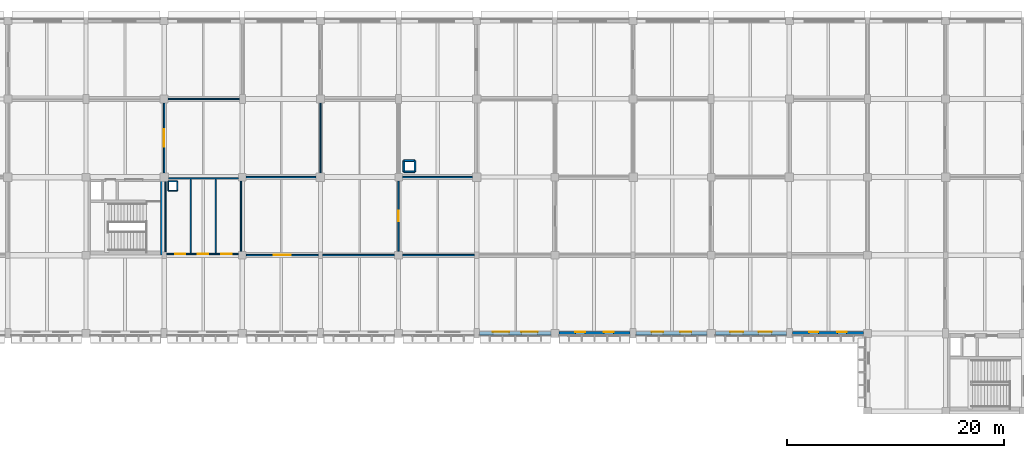
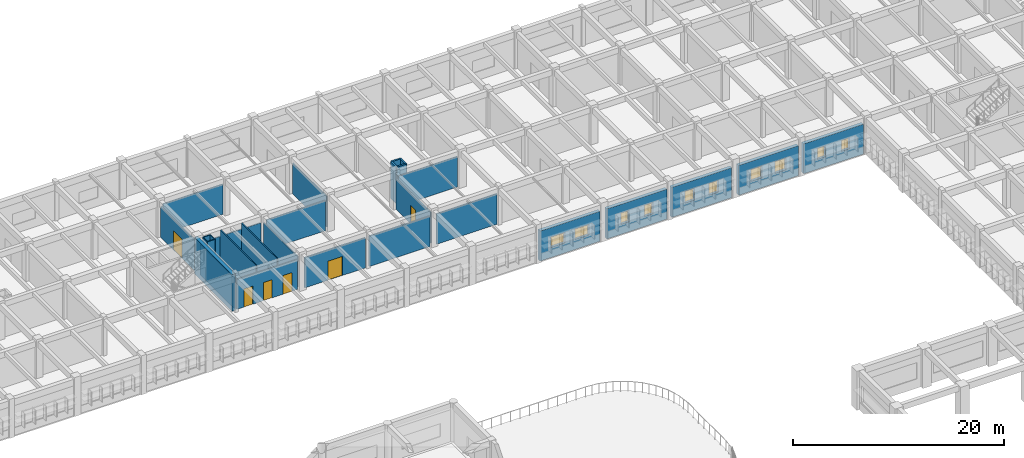
# One storey, part 47 of 61: 29 walls, 10 windows, 6 doors, 16 openings.
"""IFC4 building model written with IfcOpenShell, lengths in metres."""

import ifcopenshell
import ifcopenshell.guid

model = None  # the IFC model being written
_history = None  # IfcOwnerHistory: only IFC2X3 demands one
_inside = {}  # id of a spatial element -> (the spatial element, [elements in it])
_under = {}  # id of a project, library or spatial element -> (it, [spatial elements below it])
_declared = {}  # id of a project -> (the project, [libraries it declares])
_typed = {}  # id of a type object -> (the type object, [elements of that type])
_made_of = {}  # id of a material, layer set ... -> (it, [elements and type objects made of it])


def new_model(schema):
    """Start an empty IFC model of exactly this schema.

    Asked for "IFC4X3", IfcOpenShell would pick the latest addendum, in which some entities
    have other attributes; the version numbers below select the first issue.
    IFC2X3 requires an IfcOwnerHistory on every rooted entity: one is made here for all.
    """
    global model, _history
    if schema == "IFC4X3":
        model = ifcopenshell.file(schema_version=(4, 3, 0, 0))
    else:
        model = ifcopenshell.file(schema=schema)
    _inside.clear()
    _under.clear()
    _declared.clear()
    _typed.clear()
    _made_of.clear()
    _history = None
    if model.schema == "IFC2X3":
        org = make("IfcOrganization", Name="unknown")
        user = make(
            "IfcPersonAndOrganization",
            ThePerson=make("IfcPerson", FamilyName="unknown"),
            TheOrganization=org,
        )
        app = make(
            "IfcApplication",
            ApplicationDeveloper=org,
            Version="unknown",
            ApplicationFullName="unknown",
            ApplicationIdentifier="unknown",
        )
        _history = make(
            "IfcOwnerHistory",
            OwningUser=user,
            OwningApplication=app,
            ChangeAction="ADDED",
            CreationDate=0,
        )
    return model


def make(cls, **values):
    """One entity of the class cls with the attributes given. An attribute that is None is left unset."""
    return model.create_entity(
        cls, **{name: value for name, value in values.items() if value is not None}
    )


def rooted(cls, **values):
    """An entity with a GlobalId (a new one), such as an element, a storey or a relation."""
    return make(cls, GlobalId=ifcopenshell.guid.new(), OwnerHistory=_history, **values)


def si_unit(unit_type, name, prefix=None):
    """IfcSIUnit, for example si_unit("LENGTHUNIT", "METRE", prefix="MILLI")."""
    return make("IfcSIUnit", UnitType=unit_type, Prefix=prefix, Name=name)


def assignment(units):
    """IfcUnitAssignment: the units of a project."""
    return None if units is None else make("IfcUnitAssignment", Units=units)


def point(xyz):
    """IfcCartesianPoint."""
    return None if xyz is None else make("IfcCartesianPoint", Coordinates=xyz)


def direction(xyz):
    """IfcDirection."""
    return None if xyz is None else make("IfcDirection", DirectionRatios=xyz)


def frame(location, z_axis=None, x_axis=None):
    """IfcAxis2Placement3D, a coordinate frame: its origin and axes. An axis left out is left unset."""
    return make(
        "IfcAxis2Placement3D",
        Location=point(location),
        Axis=direction(z_axis),
        RefDirection=direction(x_axis),
    )


def frame_2d(location, x_axis=None):
    """IfcAxis2Placement2D, a coordinate frame in the plane: its origin and x axis."""
    return make(
        "IfcAxis2Placement2D", Location=point(location), RefDirection=direction(x_axis)
    )


def origin():
    """The frame at (0, 0, 0) with its axes left unset."""
    return frame((0.0, 0.0, 0.0))


def place(relative_to, where):
    """IfcLocalPlacement: puts the frame where relative to a parent placement (None: the world)."""
    return make(
        "IfcLocalPlacement", PlacementRelTo=relative_to, RelativePlacement=where
    )


def context(
    kind, dimensions, precision=None, world=None, true_north=None, identifier=None
):
    """IfcGeometricRepresentationContext, for example the 3D "Model" context."""
    return make(
        "IfcGeometricRepresentationContext",
        ContextIdentifier=identifier,
        ContextType=kind,
        CoordinateSpaceDimension=dimensions,
        Precision=precision,
        WorldCoordinateSystem=world,
        TrueNorth=true_north,
    )


def subcontext(parent, identifier, kind, view, scale=None):
    """IfcGeometricRepresentationSubContext, for example "Body" below "Model"."""
    return make(
        "IfcGeometricRepresentationSubContext",
        ContextIdentifier=identifier,
        ContextType=kind,
        ParentContext=parent,
        TargetScale=scale,
        TargetView=view,
    )


def project(units=None, contexts=None):
    """IfcProject with its units and contexts."""
    return rooted(
        "IfcProject",
        Name="project",
        RepresentationContexts=contexts,
        UnitsInContext=assignment(units),
    )


def spatial(cls, under=None, at=None, **own):
    """A site, building, storey or space (cls), placed at a placement, below another one or the project."""
    s = rooted(cls, ObjectPlacement=at, **own)
    if under is not None:
        _under.setdefault(under.id(), (under, []))[1].append(s)
    return s


def profile(cls, at=None, kind="AREA", **sizes):
    """A parametric profile (cls). Its sizes go by their IFC names, for example OverallWidth=200.0."""
    return make(cls, ProfileType=kind, Position=at, **sizes)


def rectangle(**sizes):
    """IfcRectangleProfileDef."""
    return profile("IfcRectangleProfileDef", **sizes)


def extrude(swept, where, along, depth):
    """IfcExtrudedAreaSolid: the profile swept, set in the frame where, extruded along a direction by depth."""
    return make(
        "IfcExtrudedAreaSolid",
        SweptArea=swept,
        Position=where,
        ExtrudedDirection=direction(along),
        Depth=depth,
    )


def shape(context_of_items, identifier, shape_type, items):
    """IfcShapeRepresentation: the items that make up one representation, for example the "Body"."""
    return make(
        "IfcShapeRepresentation",
        ContextOfItems=context_of_items,
        RepresentationIdentifier=identifier,
        RepresentationType=shape_type,
        Items=items,
    )


def material(Name=None, Category=None):
    """IfcMaterial."""
    return make("IfcMaterial", Name=Name, Category=Category)


def layer(
    of_material, thickness, ventilated=None, Name=None, Category=None, Priority=None
):
    """IfcMaterialLayer: one layer of a wall or slab, of a material (None: an air gap)."""
    return make(
        "IfcMaterialLayer",
        Material=of_material,
        LayerThickness=thickness,
        IsVentilated=ventilated,
        Name=Name,
        Category=Category,
        Priority=Priority,
    )


def layer_set(layers, Name=None):
    """IfcMaterialLayerSet."""
    return make("IfcMaterialLayerSet", MaterialLayers=layers, LayerSetName=Name)


def made_of(thing, what):
    """Note that an element or type object is made of a material, layer set ...; save() writes the relation."""
    if what is not None:
        _made_of.setdefault(what.id(), (what, []))[1].append(thing)
    return thing


def type_object(cls, material=None, **own):
    """A type object (cls), such as IfcWallType, which elements share."""
    return made_of(rooted(cls, **own), material)


def element(
    cls,
    number,
    at=None,
    inside=None,
    cuts=None,
    type_object=None,
    material=None,
    context=None,
    identifier="Body",
    shape_type=None,
    held_by="IfcProductDefinitionShape",
    body=None,
    shapes=None,
    **own,
):
    """One element of the class cls, such as IfcWall. Its Tag is "e" and its number.

    at: its placement. inside: the storey or other place that contains it. cuts: it is an
    opening in that element (IfcRelVoidsElement). A single representation is given by context,
    identifier, shape_type and body (its items); several are given by shapes. held_by: the class
    of the entity that holds the representations. save() writes the other relations.
    """
    e = rooted(cls, Tag="e%d" % number, ObjectPlacement=at, **own)
    if body is not None:
        shapes = [shape(context, identifier, shape_type, body)]
    if shapes is not None:
        e.Representation = make(held_by, Representations=shapes)
    if inside is not None:
        _inside.setdefault(inside.id(), (inside, []))[1].append(e)
    if cuts is not None:
        rooted(
            "IfcRelVoidsElement", RelatingBuildingElement=cuts, RelatedOpeningElement=e
        )
    if type_object is not None:
        _typed.setdefault(type_object.id(), (type_object, []))[1].append(e)
    return made_of(e, material)


def fill(opening, filler):
    """IfcRelFillsElement: the door or window that sits in an opening."""
    return rooted(
        "IfcRelFillsElement",
        RelatingOpeningElement=opening,
        RelatedBuildingElement=filler,
    )


def aggregate(whole, parts):
    """IfcRelAggregates: a whole, such as a stair, and the parts it consists of."""
    return rooted("IfcRelAggregates", RelatingObject=whole, RelatedObjects=parts)


def save(model, path):
    """Write the relations noted so far, then the file.

    IfcRelAggregates (storeys below a building ...), IfcRelContainedInSpatialStructure (elements
    in a storey), IfcRelDefinesByType, IfcRelAssociatesMaterial and IfcRelDeclares: one each for
    every whole, place, type object, material and project.
    """
    for whole, parts in _under.values():
        aggregate(whole, parts)
    for where, things in _inside.values():
        rooted(
            "IfcRelContainedInSpatialStructure",
            RelatedElements=things,
            RelatingStructure=where,
        )
    for kind, things in _typed.values():
        rooted("IfcRelDefinesByType", RelatedObjects=things, RelatingType=kind)
    for what, things in _made_of.values():
        rooted("IfcRelAssociatesMaterial", RelatedObjects=things, RelatingMaterial=what)
    for by, libraries in _declared.values():
        rooted("IfcRelDeclares", RelatingContext=by, RelatedDefinitions=libraries)
    model.write(path)


model = new_model("IFC4")

# Units and contexts
model_context = context("Model", 3, precision=1e-05, world=origin(), true_north=direction((0.0, 1.0)))
body_context = subcontext(model_context, "Body", "Model", "MODEL_VIEW")
ifc_project = project(units=[si_unit("LENGTHUNIT", "METRE"), si_unit("AREAUNIT", "SQUARE_METRE"), si_unit("VOLUMEUNIT", "CUBIC_METRE"), si_unit("PLANEANGLEUNIT", "RADIAN"), si_unit("MASSUNIT", "GRAM", prefix="KILO")], contexts=[model_context])

# Site, building, storey
site_placement = place(None, origin())
site = spatial("IfcSite", under=ifc_project, at=site_placement, CompositionType="ELEMENT")
building_placement = place(site_placement, origin())
building = spatial("IfcBuilding", under=site, at=building_placement, Name="Thalmaran Polytechnic", CompositionType="ELEMENT")
storey_placement = place(building_placement, frame((0.0, 0.0, 9.89990234375)))
storey = spatial("IfcBuildingStorey", under=building, at=storey_placement, Name="L02", CompositionType="ELEMENT", Elevation=9.89990234375)

# Wall, openings, windows
ifc_material_1 = material(Name="Precast concrete C40/50", Category="concrete")
ifc_layer_1 = layer(ifc_material_1, 0.360107421875, Name="Precast concrete C40/50")
ifc_layer_set_1 = layer_set([ifc_layer_1], Name="Precast concrete C40/50")
wall_type_1 = type_object("IfcWallType", Name="WL-EW01", PredefinedType="STANDARD", material=ifc_layer_set_1)
wall_1_placement = place(storey_placement, frame((129.22509765625, 93.60009765625, 0.0), z_axis=(0.0, 0.0, 1.0), x_axis=(-1.0, 0.0, 0.0)))
wall_1 = element("IfcWall", 1, at=wall_1_placement, inside=storey, type_object=wall_type_1, Name="Exterior Precast Facade Wall L02-164", PredefinedType="STANDARD", context=body_context, shape_type="SweptSolid", body=[
    extrude(rectangle(XDim=6.550048828125, YDim=0.360107421875, at=frame_2d((3.27490234375, 0.0))), origin(), (0.0, 0.0, 1.0), 3.460205078125),
])
opening_1_placement = place(wall_1_placement, frame((1.5400390625, 0.0, 1.14990234375)))
opening_1 = element("IfcOpeningElement", 2, at=opening_1_placement, cuts=wall_1, Name="Opening VW14", PredefinedType="OPENING", context=body_context, shape_type="SweptSolid", body=[
    extrude(rectangle(XDim=0.85009765625, YDim=1.25, at=frame_2d((0.425048828125, 0.625))), frame((0.0, 0.18994140625, 0.0), z_axis=(0.0, -1.0, 0.0), x_axis=(1.0, 0.0, 0.0)), (0.0, 0.0, 1.0), 0.380126953125),
])
opening_2_placement = place(wall_1_placement, frame((4.159912109375, 0.0, 1.14990234375)))
opening_2 = element("IfcOpeningElement", 3, at=opening_2_placement, cuts=wall_1, Name="Opening VW14", PredefinedType="OPENING", context=body_context, shape_type="SweptSolid", body=[
    extrude(rectangle(XDim=0.85009765625, YDim=1.25, at=frame_2d((0.425048828125, 0.625))), frame((0.0, 0.18994140625, 0.0), z_axis=(0.0, -1.0, 0.0), x_axis=(1.0, 0.0, 0.0)), (0.0, 0.0, 1.0), 0.380126953125),
])
ifc_material_2 = material(Name="Thermally broken aluminium and double low-E glass", Category="aluminium")
window_type_1 = type_object("IfcWindowType", Name="WN-VZ14", PartitioningType="SINGLE_PANEL", PredefinedType="WINDOW", material=ifc_material_2)
window_1_placement = place(opening_1_placement, origin())
window_1 = element("IfcWindow", 4, at=window_1_placement, inside=storey, type_object=window_type_1, Name="Deep-Set Solar-Screened Window W-0382", OverallHeight=1.25, OverallWidth=0.85009765625, PartitioningType="SINGLE_PANEL", PredefinedType="WINDOW", context=body_context, shape_type="SweptSolid", body=[
    extrude(rectangle(XDim=0.85009765625, YDim=1.25, at=frame_2d((0.425048828125, 0.625))), frame((0.0, -0.080078125, 0.0), z_axis=(0.0, -1.0, 0.0), x_axis=(1.0, 0.0, 0.0)), (0.0, 0.0, 1.0), 0.06005859375),
])
fill(opening_1, window_1)
window_2_placement = place(opening_2_placement, origin())
window_2 = element("IfcWindow", 5, at=window_2_placement, inside=storey, type_object=window_type_1, Name="Deep-Set Solar-Screened Window W-0383", OverallHeight=1.25, OverallWidth=0.85009765625, PartitioningType="SINGLE_PANEL", PredefinedType="WINDOW", context=body_context, shape_type="SweptSolid", body=[
    extrude(rectangle(XDim=0.85009765625, YDim=1.25, at=frame_2d((0.425048828125, 0.625))), frame((0.0, -0.080078125, 0.0), z_axis=(0.0, -1.0, 0.0), x_axis=(1.0, 0.0, 0.0)), (0.0, 0.0, 1.0), 0.06005859375),
])
fill(opening_2, window_2)

wall_2_placement = place(storey_placement, frame((122.125, 93.60009765625, 0.0), z_axis=(0.0, 0.0, 1.0), x_axis=(-1.0, 0.0, 0.0)))
wall_2 = element("IfcWall", 6, at=wall_2_placement, inside=storey, type_object=wall_type_1, Name="Exterior Precast Facade Wall L02-165", PredefinedType="STANDARD", context=body_context, shape_type="SweptSolid", body=[
    extrude(rectangle(XDim=6.550048828125, YDim=0.360107421875, at=frame_2d((3.27490234375, 0.0))), origin(), (0.0, 0.0, 1.0), 3.460205078125),
])
opening_3_placement = place(wall_2_placement, frame((1.364990234375, 0.0, 1.14990234375)))
opening_3 = element("IfcOpeningElement", 7, at=opening_3_placement, cuts=wall_2, Name="Opening PW11", PredefinedType="OPENING", context=body_context, shape_type="SweptSolid", body=[
    extrude(rectangle(XDim=1.199951171875, YDim=1.35009765625, at=frame_2d((0.60009765625, 0.675048828125))), frame((0.0, 0.18994140625, 0.0), z_axis=(0.0, -1.0, 0.0), x_axis=(1.0, 0.0, 0.0)), (0.0, 0.0, 1.0), 0.380126953125),
])
opening_4_placement = place(wall_2_placement, frame((3.985107421875, 0.0, 1.14990234375)))
opening_4 = element("IfcOpeningElement", 8, at=opening_4_placement, cuts=wall_2, Name="Opening PW11", PredefinedType="OPENING", context=body_context, shape_type="SweptSolid", body=[
    extrude(rectangle(XDim=1.199951171875, YDim=1.35009765625, at=frame_2d((0.60009765625, 0.675048828125))), frame((0.0, 0.18994140625, 0.0), z_axis=(0.0, -1.0, 0.0), x_axis=(1.0, 0.0, 0.0)), (0.0, 0.0, 1.0), 0.380126953125),
])
window_type_2 = type_object("IfcWindowType", Name="WN-PW01", PartitioningType="SINGLE_PANEL", PredefinedType="WINDOW", material=ifc_material_2)
window_3_placement = place(opening_3_placement, origin())
window_3 = element("IfcWindow", 9, at=window_3_placement, inside=storey, type_object=window_type_2, Name="Deep-Set Solar-Screened Window W-0384", OverallHeight=1.35009765625, OverallWidth=1.199951171875, PartitioningType="SINGLE_PANEL", PredefinedType="WINDOW", context=body_context, shape_type="SweptSolid", body=[
    extrude(rectangle(XDim=1.199951171875, YDim=1.35009765625, at=frame_2d((0.60009765625, 0.675048828125))), frame((0.0, -0.080078125, 0.0), z_axis=(0.0, -1.0, 0.0), x_axis=(1.0, 0.0, 0.0)), (0.0, 0.0, 1.0), 0.06005859375),
])
fill(opening_3, window_3)
window_4_placement = place(opening_4_placement, origin())
window_4 = element("IfcWindow", 10, at=window_4_placement, inside=storey, type_object=window_type_2, Name="Deep-Set Solar-Screened Window W-0385", OverallHeight=1.35009765625, OverallWidth=1.199951171875, PartitioningType="SINGLE_PANEL", PredefinedType="WINDOW", context=body_context, shape_type="SweptSolid", body=[
    extrude(rectangle(XDim=1.199951171875, YDim=1.35009765625, at=frame_2d((0.60009765625, 0.675048828125))), frame((0.0, -0.080078125, 0.0), z_axis=(0.0, -1.0, 0.0), x_axis=(1.0, 0.0, 0.0)), (0.0, 0.0, 1.0), 0.06005859375),
])
fill(opening_4, window_4)

wall_3_placement = place(storey_placement, frame((114.824951171875, 93.60009765625, 0.0), z_axis=(0.0, 0.0, 1.0), x_axis=(-1.0, 0.0, 0.0)))
wall_3 = element("IfcWall", 11, at=wall_3_placement, inside=storey, type_object=wall_type_1, Name="Exterior Precast Facade Wall L02-166", PredefinedType="STANDARD", context=body_context, shape_type="SweptSolid", body=[
    extrude(rectangle(XDim=6.550048828125, YDim=0.360107421875, at=frame_2d((3.27490234375, 0.0))), origin(), (0.0, 0.0, 1.0), 3.47021484375),
])
opening_5_placement = place(wall_3_placement, frame((1.43994140625, 0.0, 1.14990234375)))
opening_5 = element("IfcOpeningElement", 12, at=opening_5_placement, cuts=wall_3, Name="Opening PW12", PredefinedType="OPENING", context=body_context, shape_type="SweptSolid", body=[
    extrude(rectangle(XDim=1.050048828125, YDim=1.35009765625, at=frame_2d((0.52490234375, 0.675048828125))), frame((0.0, 0.18994140625, 0.0), z_axis=(0.0, -1.0, 0.0), x_axis=(1.0, 0.0, 0.0)), (0.0, 0.0, 1.0), 0.380126953125),
])
opening_6_placement = place(wall_3_placement, frame((4.06005859375, 0.0, 1.14990234375)))
opening_6 = element("IfcOpeningElement", 13, at=opening_6_placement, cuts=wall_3, Name="Opening PW12", PredefinedType="OPENING", context=body_context, shape_type="SweptSolid", body=[
    extrude(rectangle(XDim=1.050048828125, YDim=1.35009765625, at=frame_2d((0.52490234375, 0.675048828125))), frame((0.0, 0.18994140625, 0.0), z_axis=(0.0, -1.0, 0.0), x_axis=(1.0, 0.0, 0.0)), (0.0, 0.0, 1.0), 0.380126953125),
])
window_type_3 = type_object("IfcWindowType", Name="WN-PW02", PartitioningType="SINGLE_PANEL", PredefinedType="WINDOW", material=ifc_material_2)
window_5_placement = place(opening_5_placement, origin())
window_5 = element("IfcWindow", 14, at=window_5_placement, inside=storey, type_object=window_type_3, Name="Deep-Set Solar-Screened Window W-0386", OverallHeight=1.35009765625, OverallWidth=1.050048828125, PartitioningType="SINGLE_PANEL", PredefinedType="WINDOW", context=body_context, shape_type="SweptSolid", body=[
    extrude(rectangle(XDim=1.050048828125, YDim=1.35009765625, at=frame_2d((0.52490234375, 0.675048828125))), frame((0.0, -0.080078125, 0.0), z_axis=(0.0, -1.0, 0.0), x_axis=(1.0, 0.0, 0.0)), (0.0, 0.0, 1.0), 0.06005859375),
])
fill(opening_5, window_5)
window_6_placement = place(opening_6_placement, origin())
window_6 = element("IfcWindow", 15, at=window_6_placement, inside=storey, type_object=window_type_3, Name="Deep-Set Solar-Screened Window W-0387", OverallHeight=1.35009765625, OverallWidth=1.050048828125, PartitioningType="SINGLE_PANEL", PredefinedType="WINDOW", context=body_context, shape_type="SweptSolid", body=[
    extrude(rectangle(XDim=1.050048828125, YDim=1.35009765625, at=frame_2d((0.52490234375, 0.675048828125))), frame((0.0, -0.080078125, 0.0), z_axis=(0.0, -1.0, 0.0), x_axis=(1.0, 0.0, 0.0)), (0.0, 0.0, 1.0), 0.06005859375),
])
fill(opening_6, window_6)

wall_4_placement = place(storey_placement, frame((107.72509765625, 93.60009765625, 0.0), z_axis=(0.0, 0.0, 1.0), x_axis=(-1.0, 0.0, 0.0)))
wall_4 = element("IfcWall", 16, at=wall_4_placement, inside=storey, type_object=wall_type_1, Name="Exterior Precast Facade Wall L02-167", PredefinedType="STANDARD", context=body_context, shape_type="SweptSolid", body=[
    extrude(rectangle(XDim=6.550048828125, YDim=0.360107421875, at=frame_2d((3.27490234375, 0.0))), origin(), (0.0, 0.0, 1.0), 3.47021484375),
])
opening_7_placement = place(wall_4_placement, frame((1.514892578125, 0.0, 1.14990234375)))
opening_7 = element("IfcOpeningElement", 17, at=opening_7_placement, cuts=wall_4, Name="Opening PW13", PredefinedType="OPENING", context=body_context, shape_type="SweptSolid", body=[
    extrude(rectangle(XDim=0.89990234375, YDim=1.300048828125, at=frame_2d((0.449951171875, 0.64990234375))), frame((0.0, 0.18994140625, 0.0), z_axis=(0.0, -1.0, 0.0), x_axis=(1.0, 0.0, 0.0)), (0.0, 0.0, 1.0), 0.380126953125),
])
opening_8_placement = place(wall_4_placement, frame((4.135009765625, 0.0, 1.14990234375)))
opening_8 = element("IfcOpeningElement", 18, at=opening_8_placement, cuts=wall_4, Name="Opening PW13", PredefinedType="OPENING", context=body_context, shape_type="SweptSolid", body=[
    extrude(rectangle(XDim=0.89990234375, YDim=1.300048828125, at=frame_2d((0.449951171875, 0.64990234375))), frame((0.0, 0.18994140625, 0.0), z_axis=(0.0, -1.0, 0.0), x_axis=(1.0, 0.0, 0.0)), (0.0, 0.0, 1.0), 0.380126953125),
])
window_type_4 = type_object("IfcWindowType", Name="WN-PW03", PartitioningType="SINGLE_PANEL", PredefinedType="WINDOW", material=ifc_material_2)
window_7_placement = place(opening_7_placement, origin())
window_7 = element("IfcWindow", 19, at=window_7_placement, inside=storey, type_object=window_type_4, Name="Deep-Set Solar-Screened Window W-0388", OverallHeight=1.300048828125, OverallWidth=0.89990234375, PartitioningType="SINGLE_PANEL", PredefinedType="WINDOW", context=body_context, shape_type="SweptSolid", body=[
    extrude(rectangle(XDim=0.89990234375, YDim=1.300048828125, at=frame_2d((0.449951171875, 0.64990234375))), frame((0.0, -0.080078125, 0.0), z_axis=(0.0, -1.0, 0.0), x_axis=(1.0, 0.0, 0.0)), (0.0, 0.0, 1.0), 0.06005859375),
])
fill(opening_7, window_7)
window_8_placement = place(opening_8_placement, origin())
window_8 = element("IfcWindow", 20, at=window_8_placement, inside=storey, type_object=window_type_4, Name="Deep-Set Solar-Screened Window W-0389", OverallHeight=1.300048828125, OverallWidth=0.89990234375, PartitioningType="SINGLE_PANEL", PredefinedType="WINDOW", context=body_context, shape_type="SweptSolid", body=[
    extrude(rectangle(XDim=0.89990234375, YDim=1.300048828125, at=frame_2d((0.449951171875, 0.64990234375))), frame((0.0, -0.080078125, 0.0), z_axis=(0.0, -1.0, 0.0), x_axis=(1.0, 0.0, 0.0)), (0.0, 0.0, 1.0), 0.06005859375),
])
fill(opening_8, window_8)

wall_5_placement = place(storey_placement, frame((100.425048828125, 93.60009765625, 0.0), z_axis=(0.0, 0.0, 1.0), x_axis=(-1.0, 0.0, 0.0)))
wall_5 = element("IfcWall", 21, at=wall_5_placement, inside=storey, type_object=wall_type_1, Name="Exterior Precast Facade Wall L02-168", PredefinedType="STANDARD", context=body_context, shape_type="SweptSolid", body=[
    extrude(rectangle(XDim=6.550048828125, YDim=0.360107421875, at=frame_2d((3.27490234375, 0.0))), origin(), (0.0, 0.0, 1.0), 3.47021484375),
])
opening_9_placement = place(wall_5_placement, frame((1.215087890625, 0.0, 1.14990234375)))
opening_9 = element("IfcOpeningElement", 22, at=opening_9_placement, cuts=wall_5, Name="Opening PW14", PredefinedType="OPENING", context=body_context, shape_type="SweptSolid", body=[
    extrude(rectangle(XDim=1.5, YDim=1.199951171875, at=frame_2d((0.75, 0.60009765625))), frame((0.0, 0.18994140625, 0.0), z_axis=(0.0, -1.0, 0.0), x_axis=(1.0, 0.0, 0.0)), (0.0, 0.0, 1.0), 0.380126953125),
])
opening_10_placement = place(wall_5_placement, frame((3.8349609375, 0.0, 1.14990234375)))
opening_10 = element("IfcOpeningElement", 23, at=opening_10_placement, cuts=wall_5, Name="Opening PW14", PredefinedType="OPENING", context=body_context, shape_type="SweptSolid", body=[
    extrude(rectangle(XDim=1.5, YDim=1.199951171875, at=frame_2d((0.75, 0.60009765625))), frame((0.0, 0.18994140625, 0.0), z_axis=(0.0, -1.0, 0.0), x_axis=(1.0, 0.0, 0.0)), (0.0, 0.0, 1.0), 0.380126953125),
])
window_type_5 = type_object("IfcWindowType", Name="WN-PW04", PartitioningType="DOUBLE_PANEL_VERTICAL", PredefinedType="WINDOW", material=ifc_material_2)
window_9_placement = place(opening_9_placement, origin())
window_9 = element("IfcWindow", 24, at=window_9_placement, inside=storey, type_object=window_type_5, Name="Deep-Set Solar-Screened Window W-0390", OverallHeight=1.199951171875, OverallWidth=1.5, PartitioningType="SINGLE_PANEL", PredefinedType="WINDOW", context=body_context, shape_type="SweptSolid", body=[
    extrude(rectangle(XDim=1.5, YDim=1.199951171875, at=frame_2d((0.75, 0.60009765625))), frame((0.0, -0.080078125, 0.0), z_axis=(0.0, -1.0, 0.0), x_axis=(1.0, 0.0, 0.0)), (0.0, 0.0, 1.0), 0.06005859375),
])
fill(opening_9, window_9)
window_10_placement = place(opening_10_placement, origin())
window_10 = element("IfcWindow", 25, at=window_10_placement, inside=storey, type_object=window_type_5, Name="Deep-Set Solar-Screened Window W-0391", OverallHeight=1.199951171875, OverallWidth=1.5, PartitioningType="SINGLE_PANEL", PredefinedType="WINDOW", context=body_context, shape_type="SweptSolid", body=[
    extrude(rectangle(XDim=1.5, YDim=1.199951171875, at=frame_2d((0.75, 0.60009765625))), frame((0.0, -0.080078125, 0.0), z_axis=(0.0, -1.0, 0.0), x_axis=(1.0, 0.0, 0.0)), (0.0, 0.0, 1.0), 0.06005859375),
])
fill(opening_10, window_10)

# Walls
ifc_material_3 = material(Name="Autoclaved aerated masonry", Category="masonry")
ifc_layer_2 = layer(ifc_material_3, 0.179931640625, Name="Autoclaved aerated masonry")
ifc_layer_set_2 = layer_set([ifc_layer_2], Name="Autoclaved aerated masonry")
wall_type_2 = type_object("IfcWallType", Name="WL-IW04", PredefinedType="PARTITIONING", material=ifc_layer_set_2)
for number, where, z_axis, x_axis, name in (
    (26, (86.889892578125, 108.489990234375, 0.0), (0.0, 0.0, 1.0), (1.0, 0.0, 0.0), "Fume Exhaust Riser Shaft Wall L02 (12,15)-S"),
    (27, (87.909912109375, 108.489990234375, 0.0), (0.0, 0.0, 1.0), (0.0, 1.0, 0.0), "Fume Exhaust Riser Shaft Wall L02 (12,15)-E"),
    (28, (87.909912109375, 109.510009765625, 0.0), (0.0, 0.0, 1.0), (-1.0, 0.0, 0.0), "Fume Exhaust Riser Shaft Wall L02 (12,15)-N"),
    (29, (86.889892578125, 109.510009765625, 0.0), (0.0, 0.0, 1.0), (0.0, -1.0, 0.0), "Fume Exhaust Riser Shaft Wall L02 (12,15)-W"),
):
    element("IfcWall", number, at=place(storey_placement, frame(where, z_axis=z_axis, x_axis=x_axis)), inside=storey, type_object=wall_type_2, Name=name, PredefinedType="PARTITIONING", context=body_context, shape_type="SweptSolid", body=[
        extrude(rectangle(XDim=1.02001953125, YDim=0.179931640625, at=frame_2d((0.510009765625, 0.0))), origin(), (0.0, 0.0, 1.0), 4.22509765625),
    ])

# Wall, opening, door
ifc_material_4 = material(Name="Gypsum acoustic partition")
ifc_layer_3 = layer(ifc_material_4, 0.14501953125, Name="Gypsum acoustic partition")
ifc_layer_set_3 = layer_set([ifc_layer_3], Name="Gypsum acoustic partition")
wall_type_3 = type_object("IfcWallType", Name="WL-IW06", PredefinedType="PARTITIONING", material=ifc_layer_set_3)
wall_6_placement = place(storey_placement, frame((64.800048828125, 108.39501953125, 0.0), z_axis=(0.0, 0.0, 1.0), x_axis=(0.0, 1.0, 0.0)))
wall_6 = element("IfcWall", 30, at=wall_6_placement, inside=storey, type_object=wall_type_3, Name="Interior Partition IW06 L02-075", PredefinedType="PARTITIONING", context=body_context, shape_type="SweptSolid", body=[
    extrude(rectangle(XDim=6.425048828125, YDim=0.14501953125, at=frame_2d((3.21240234375, 0.0))), origin(), (0.0, 0.0, 1.0), 3.53515625),
])
opening_11_placement = place(wall_6_placement, frame((2.41259765625, 0.0, 0.0)))
opening_11 = element("IfcOpeningElement", 31, at=opening_11_placement, cuts=wall_6, Name="Opening D-L02-022-2-09-1", PredefinedType="OPENING", context=body_context, shape_type="SweptSolid", body=[
    extrude(rectangle(XDim=1.60009765625, YDim=2.199951171875, at=frame_2d((0.800048828125, 1.10009765625))), frame((0.0, 0.08251953125, 0.0), z_axis=(0.0, -1.0, 0.0), x_axis=(1.0, 0.0, 0.0)), (0.0, 0.0, 1.0), 0.1650390625),
])
ifc_material_5 = material(Name="Powder-coated fire-rated steel", Category="steel")
door_type_1 = type_object("IfcDoorType", Name="DR-FD05", OperationType="NOTDEFINED", PredefinedType="DOOR", material=ifc_material_5)
door_1_placement = place(opening_11_placement, origin())
door_1 = element("IfcDoor", 32, at=door_1_placement, inside=storey, type_object=door_type_1, Name="Technical Reference Library Reading Room L02-09 Door 1", OperationType="DOUBLE_DOOR_SINGLE_SWING", OverallHeight=2.199951171875, OverallWidth=1.60009765625, PredefinedType="DOOR", context=body_context, shape_type="SweptSolid", body=[
    extrude(rectangle(XDim=1.60009765625, YDim=2.199951171875, at=frame_2d((0.800048828125, 1.10009765625))), frame((0.0, 0.02490234375, 0.0), z_axis=(0.0, -1.0, 0.0), x_axis=(1.0, 0.0, 0.0)), (0.0, 0.0, 1.0), 0.050048828125),
])
fill(opening_11, door_1)

wall_7_placement = place(storey_placement, frame((72.364990234375, 100.800048828125, 0.0), z_axis=(0.0, 0.0, 1.0), x_axis=(1.0, 0.0, 0.0)))
wall_7 = element("IfcWall", 33, at=wall_7_placement, inside=storey, type_object=wall_type_3, Name="Interior Partition IW06 L02-079", PredefinedType="PARTITIONING", context=body_context, shape_type="SweptSolid", body=[
    extrude(rectangle(XDim=6.630126953125, YDim=0.14501953125, at=frame_2d((3.31494140625, 0.0))), origin(), (0.0, 0.0, 1.0), 3.485107421875),
])
opening_12_placement = place(wall_7_placement, frame((2.514892578125, 0.0, 0.0)))
opening_12 = element("IfcOpeningElement", 34, at=opening_12_placement, cuts=wall_7, Name="Opening D-L02-023-2-10-1", PredefinedType="OPENING", context=body_context, shape_type="SweptSolid", body=[
    extrude(rectangle(XDim=1.60009765625, YDim=2.199951171875, at=frame_2d((0.800048828125, 1.10009765625))), frame((0.0, 0.08251953125, 0.0), z_axis=(0.0, -1.0, 0.0), x_axis=(1.0, 0.0, 0.0)), (0.0, 0.0, 1.0), 0.1650390625),
])
door_2_placement = place(opening_12_placement, origin())
door_2 = element("IfcDoor", 35, at=door_2_placement, inside=storey, type_object=door_type_1, Name="Polytechnic Library Reading Hall L02-10 Door 1", OperationType="DOUBLE_DOOR_SINGLE_SWING", OverallHeight=2.199951171875, OverallWidth=1.60009765625, PredefinedType="DOOR", context=body_context, shape_type="SweptSolid", body=[
    extrude(rectangle(XDim=1.60009765625, YDim=2.199951171875, at=frame_2d((0.800048828125, 1.10009765625))), frame((0.0, 0.02490234375, 0.0), z_axis=(0.0, -1.0, 0.0), x_axis=(1.0, 0.0, 0.0)), (0.0, 0.0, 1.0), 0.050048828125),
])
fill(opening_12, door_2)

# Walls
wall_8_placement = place(storey_placement, frame((79.405029296875, 100.800048828125, 0.0), z_axis=(0.0, 0.0, 1.0), x_axis=(1.0, 0.0, 0.0)))
element("IfcWall", 36, at=wall_8_placement, inside=storey, type_object=wall_type_3, Name="Interior Partition IW06 L02-083", PredefinedType="PARTITIONING", context=body_context, shape_type="SweptSolid", body=[
    extrude(rectangle(XDim=6.6298828125, YDim=0.14501953125, at=frame_2d((3.31494140625, 0.0))), origin(), (0.0, 0.0, 1.0), 3.5),
])
wall_9_placement = place(storey_placement, frame((86.764892578125, 100.800048828125, 0.0), z_axis=(0.0, 0.0, 1.0), x_axis=(1.0, 0.0, 0.0)))
element("IfcWall", 37, at=wall_9_placement, inside=storey, type_object=wall_type_3, Name="Interior Partition IW06 L02-087", PredefinedType="PARTITIONING", context=body_context, shape_type="SweptSolid", body=[
    extrude(rectangle(XDim=6.630126953125, YDim=0.14501953125, at=frame_2d((3.31494140625, 0.0))), origin(), (0.0, 0.0, 1.0), 3.505126953125),
])
ifc_layer_4 = layer(ifc_material_4, 0.1298828125, Name="Gypsum acoustic partition")
ifc_layer_set_4 = layer_set([ifc_layer_4], Name="Gypsum acoustic partition")
wall_type_4 = type_object("IfcWallType", Name="WL-IW07", PredefinedType="PARTITIONING", material=ifc_layer_set_4)
wall_10_placement = place(storey_placement, frame((72.35498046875, 108.0, 0.0), z_axis=(0.0, 0.0, 1.0), x_axis=(1.0, 0.0, 0.0)))
element("IfcWall", 38, at=wall_10_placement, inside=storey, type_object=wall_type_4, Name="Interior Partition IW07 L02-080", PredefinedType="PARTITIONING", context=body_context, shape_type="SweptSolid", body=[
    extrude(rectangle(XDim=6.449951171875, YDim=0.1298828125, at=frame_2d((3.22509765625, 0.0))), origin(), (0.0, 0.0, 1.0), 3.485107421875),
])

# Wall, opening, door
wall_11_placement = place(storey_placement, frame((86.39990234375, 101.1650390625, 0.0), z_axis=(0.0, 0.0, 1.0), x_axis=(0.0, 1.0, 0.0)))
wall_11 = element("IfcWall", 39, at=wall_11_placement, inside=storey, type_object=wall_type_4, Name="Interior Partition IW07 L02-084", PredefinedType="PARTITIONING", context=body_context, shape_type="SweptSolid", body=[
    extrude(rectangle(XDim=6.47998046875, YDim=0.1298828125, at=frame_2d((3.239990234375, 0.0))), origin(), (0.0, 0.0, 1.0), 3.5400390625),
])
opening_13_placement = place(wall_11_placement, frame((2.764892578125, 0.0, 0.0)))
opening_13 = element("IfcOpeningElement", 40, at=opening_13_placement, cuts=wall_11, Name="Opening D-L02-025-2-12-1", PredefinedType="OPENING", context=body_context, shape_type="SweptSolid", body=[
    extrude(rectangle(XDim=0.949951171875, YDim=2.14990234375, at=frame_2d((0.47509765625, 1.074951171875))), frame((0.0, 0.074951171875, 0.0), z_axis=(0.0, -1.0, 0.0), x_axis=(1.0, 0.0, 0.0)), (0.0, 0.0, 1.0), 0.14990234375),
])
door_type_2 = type_object("IfcDoorType", Name="DR-FD08", OperationType="NOTDEFINED", PredefinedType="DOOR", material=ifc_material_5)
door_3_placement = place(opening_13_placement, origin())
door_3 = element("IfcDoor", 41, at=door_3_placement, inside=storey, type_object=door_type_2, Name="Digital Learning Commons L02-12 Door 1", OperationType="SINGLE_SWING_RIGHT", OverallHeight=2.14990234375, OverallWidth=0.949951171875, PredefinedType="DOOR", context=body_context, shape_type="SweptSolid", body=[
    extrude(rectangle(XDim=0.949951171875, YDim=2.14990234375, at=frame_2d((0.47509765625, 1.074951171875))), frame((0.0, 0.02490234375, 0.0), z_axis=(0.0, -1.0, 0.0), x_axis=(1.0, 0.0, 0.0)), (0.0, 0.0, 1.0), 0.050048828125),
])
fill(opening_13, door_3)

# Wall
wall_12_placement = place(storey_placement, frame((86.7548828125, 108.0, 0.0), z_axis=(0.0, 0.0, 1.0), x_axis=(1.0, 0.0, 0.0)))
element("IfcWall", 42, at=wall_12_placement, inside=storey, type_object=wall_type_4, Name="Interior Partition IW07 L02-088", PredefinedType="PARTITIONING", context=body_context, shape_type="SweptSolid", body=[
    extrude(rectangle(XDim=6.4501953125, YDim=0.1298828125, at=frame_2d((3.22509765625, 0.0))), origin(), (0.0, 0.0, 1.0), 3.505126953125),
])

# Wall, openings, doors
ifc_layer_5 = layer(ifc_material_4, 0.114990234375, Name="Gypsum acoustic partition")
ifc_layer_set_5 = layer_set([ifc_layer_5], Name="Gypsum acoustic partition")
wall_type_5 = type_object("IfcWallType", Name="WL-IW08", PredefinedType="PARTITIONING", material=ifc_layer_set_5)
wall_13_placement = place(storey_placement, frame((65.0048828125, 100.919921875, 0.0), z_axis=(0.0, 0.0, 1.0), x_axis=(1.0, 0.0, 0.0)))
wall_13 = element("IfcWall", 43, at=wall_13_placement, inside=storey, type_object=wall_type_5, Name="Sanitary Core Wall L02-W2-S", PredefinedType="PARTITIONING", context=body_context, shape_type="SweptSolid", body=[
    extrude(rectangle(XDim=6.630126953125, YDim=0.114990234375, at=frame_2d((3.31494140625, 0.0))), origin(), (0.0, 0.0, 1.0), 3.47509765625),
])
opening_14_placement = place(wall_13_placement, frame((0.794921875, 0.0, 0.0)))
opening_14 = element("IfcOpeningElement", 44, at=opening_14_placement, cuts=wall_13, Name="Opening WD-L02-W2-1", PredefinedType="OPENING", context=body_context, shape_type="SweptSolid", body=[
    extrude(rectangle(XDim=0.949951171875, YDim=2.10009765625, at=frame_2d((0.47509765625, 1.050048828125))), frame((0.0, 0.0673828125, 0.0), z_axis=(0.0, -1.0, 0.0), x_axis=(1.0, 0.0, 0.0)), (0.0, 0.0, 1.0), 0.135009765625),
])
opening_15_placement = place(wall_13_placement, frame((2.89501953125, 0.0, 0.0)))
opening_15 = element("IfcOpeningElement", 45, at=opening_15_placement, cuts=wall_13, Name="Opening WD-L02-W2-2", PredefinedType="OPENING", context=body_context, shape_type="SweptSolid", body=[
    extrude(rectangle(XDim=0.949951171875, YDim=2.10009765625, at=frame_2d((0.47509765625, 1.050048828125))), frame((0.0, 0.0673828125, 0.0), z_axis=(0.0, -1.0, 0.0), x_axis=(1.0, 0.0, 0.0)), (0.0, 0.0, 1.0), 0.135009765625),
])
opening_16_placement = place(wall_13_placement, frame((5.044921875, 0.0, 0.0)))
opening_16 = element("IfcOpeningElement", 46, at=opening_16_placement, cuts=wall_13, Name="Opening WD-L02-W2-3", PredefinedType="OPENING", context=body_context, shape_type="SweptSolid", body=[
    extrude(rectangle(XDim=1.0, YDim=2.14990234375, at=frame_2d((0.5, 1.074951171875))), frame((0.0, 0.0673828125, 0.0), z_axis=(0.0, -1.0, 0.0), x_axis=(1.0, 0.0, 0.0)), (0.0, 0.0, 1.0), 0.135009765625),
])
ifc_material_6 = material(Name="Acoustic hardwood", Category="wood")
door_type_3 = type_object("IfcDoorType", Name="DR-ID06", OperationType="NOTDEFINED", PredefinedType="DOOR", material=ifc_material_6)
door_4_placement = place(opening_16_placement, origin())
door_4 = element("IfcDoor", 47, at=door_4_placement, inside=storey, type_object=door_type_3, Name="Accessible WC Door L02-W2", OperationType="SINGLE_SWING_RIGHT", OverallHeight=2.14990234375, OverallWidth=1.0, PredefinedType="DOOR", context=body_context, shape_type="SweptSolid", body=[
    extrude(rectangle(XDim=1.0, YDim=2.14990234375, at=frame_2d((0.5, 1.074951171875))), frame((0.0, 0.02490234375, 0.0), z_axis=(0.0, -1.0, 0.0), x_axis=(1.0, 0.0, 0.0)), (0.0, 0.0, 1.0), 0.050048828125),
])
fill(opening_16, door_4)
ifc_material_7 = material(Name="Moisture-resistant laminate timber", Category="wood")
door_type_4 = type_object("IfcDoorType", Name="DR-ID07", OperationType="NOTDEFINED", PredefinedType="DOOR", material=ifc_material_7)
door_5_placement = place(opening_14_placement, origin())
door_5 = element("IfcDoor", 48, at=door_5_placement, inside=storey, type_object=door_type_4, Name="Male WC Door L02-W2", OperationType="SINGLE_SWING_RIGHT", OverallHeight=2.10009765625, OverallWidth=0.949951171875, PredefinedType="DOOR", context=body_context, shape_type="SweptSolid", body=[
    extrude(rectangle(XDim=0.949951171875, YDim=2.10009765625, at=frame_2d((0.47509765625, 1.050048828125))), frame((0.0, 0.02490234375, 0.0), z_axis=(0.0, -1.0, 0.0), x_axis=(1.0, 0.0, 0.0)), (0.0, 0.0, 1.0), 0.050048828125),
])
fill(opening_14, door_5)
door_6_placement = place(opening_15_placement, origin())
door_6 = element("IfcDoor", 49, at=door_6_placement, inside=storey, type_object=door_type_4, Name="Female WC Door L02-W2", OperationType="SINGLE_SWING_LEFT", OverallHeight=2.10009765625, OverallWidth=0.949951171875, PredefinedType="DOOR", context=body_context, shape_type="SweptSolid", body=[
    extrude(rectangle(XDim=0.949951171875, YDim=2.10009765625, at=frame_2d((0.47509765625, 1.050048828125))), frame((0.0, 0.02490234375, 0.0), z_axis=(0.0, -1.0, 0.0), x_axis=(1.0, 0.0, 0.0)), (0.0, 0.0, 1.0), 0.050048828125),
])
fill(opening_15, door_6)

# Walls
wall_14_placement = place(storey_placement, frame((65.195068359375, 107.8798828125, 0.0), z_axis=(0.0, 0.0, 1.0), x_axis=(1.0, 0.0, 0.0)))
element("IfcWall", 50, at=wall_14_placement, inside=storey, type_object=wall_type_5, Name="Sanitary Core Wall L02-W2-N", PredefinedType="PARTITIONING", context=body_context, shape_type="SweptSolid", body=[
    extrude(rectangle(XDim=6.449951171875, YDim=0.114990234375, at=frame_2d((3.22509765625, 0.0))), origin(), (0.0, 0.0, 1.0), 3.47509765625),
])
wall_15_placement = place(storey_placement, frame((64.919921875, 101.10498046875, 0.0), z_axis=(0.0, 0.0, 1.0), x_axis=(0.0, 1.0, 0.0)))
element("IfcWall", 51, at=wall_15_placement, inside=storey, type_object=wall_type_5, Name="Sanitary Side Wall L02-W2-W", PredefinedType="PARTITIONING", context=body_context, shape_type="SweptSolid", body=[
    extrude(rectangle(XDim=6.5, YDim=0.114990234375, at=frame_2d((3.25, 0.0))), origin(), (0.0, 0.0, 1.0), 3.5400390625),
])
wall_16_placement = place(storey_placement, frame((71.8798828125, 101.1650390625, 0.0), z_axis=(0.0, 0.0, 1.0), x_axis=(0.0, 1.0, 0.0)))
element("IfcWall", 52, at=wall_16_placement, inside=storey, type_object=wall_type_5, Name="Sanitary Side Wall L02-W2-E", PredefinedType="PARTITIONING", context=body_context, shape_type="SweptSolid", body=[
    extrude(rectangle(XDim=6.47998046875, YDim=0.114990234375, at=frame_2d((3.239990234375, 0.0))), origin(), (0.0, 0.0, 1.0), 3.5400390625),
])
wall_17_placement = place(storey_placement, frame((65.179931640625, 115.199951171875, 0.0), z_axis=(0.0, 0.0, 1.0), x_axis=(1.0, 0.0, 0.0)))
element("IfcWall", 53, at=wall_17_placement, inside=storey, type_object=wall_type_5, Name="Interior Partition IW08 L02-077", PredefinedType="PARTITIONING", context=body_context, shape_type="SweptSolid", body=[
    extrude(rectangle(XDim=6.5400390625, YDim=0.114990234375, at=frame_2d((3.27001953125, 0.0))), origin(), (0.0, 0.0, 1.0), 3.47509765625),
])
wall_18_placement = place(storey_placement, frame((79.199951171875, 108.39501953125, 0.0), z_axis=(0.0, 0.0, 1.0), x_axis=(0.0, 1.0, 0.0)))
element("IfcWall", 54, at=wall_18_placement, inside=storey, type_object=wall_type_5, Name="Interior Partition IW08 L02-081", PredefinedType="PARTITIONING", context=body_context, shape_type="SweptSolid", body=[
    extrude(rectangle(XDim=6.425048828125, YDim=0.114990234375, at=frame_2d((3.21240234375, 0.0))), origin(), (0.0, 0.0, 1.0), 3.53515625),
])
ifc_material_8 = material(Name="Moisture-resistant partition")
ifc_layer_6 = layer(ifc_material_8, 0.10009765625, Name="Moisture-resistant partition")
ifc_layer_set_6 = layer_set([ifc_layer_6], Name="Moisture-resistant partition")
wall_type_6 = type_object("IfcWallType", Name="WL-IW09", PredefinedType="PARTITIONING", material=ifc_layer_set_6)
for number, where, z_axis, x_axis, name in (
    (55, (67.25, 101.0, 0.0), (0.0, 0.0, 1.0), (0.0, 1.0, 0.0), "WC Partition L02-W2-1"),
    (56, (69.550048828125, 101.0, 0.0), (0.0, 0.0, 1.0), (0.0, 1.0, 0.0), "WC Partition L02-W2-2"),
):
    element("IfcWall", number, at=place(storey_placement, frame(where, z_axis=z_axis, x_axis=x_axis)), inside=storey, type_object=wall_type_6, Name=name, PredefinedType="PARTITIONING", context=body_context, shape_type="SweptSolid", body=[
        extrude(rectangle(XDim=6.800048828125, YDim=0.10009765625, at=frame_2d((3.39990234375, 0.0))), origin(), (0.0, 0.0, 1.0), 4.22509765625),
    ])
wall_19_placement = place(storey_placement, frame((65.18994140625, 106.75, 0.0), z_axis=(0.0, 0.0, 1.0), x_axis=(1.0, 0.0, 0.0)))
element("IfcWall", 57, at=wall_19_placement, inside=storey, type_object=wall_type_6, Name="Plumbing Riser Chase Wall L02-W2-S", PredefinedType="PARTITIONING", context=body_context, shape_type="SweptSolid", body=[
    extrude(rectangle(XDim=0.820068359375, YDim=0.10009765625, at=frame_2d((0.41015625, 0.0))), origin(), (0.0, 0.0, 1.0), 4.22509765625),
])
wall_20_placement = place(storey_placement, frame((66.010009765625, 106.75, 0.0), z_axis=(0.0, 0.0, 1.0), x_axis=(0.0, 1.0, 0.0)))
element("IfcWall", 58, at=wall_20_placement, inside=storey, type_object=wall_type_6, Name="Plumbing Riser Chase Wall L02-W2-E", PredefinedType="PARTITIONING", context=body_context, shape_type="SweptSolid", body=[
    extrude(rectangle(XDim=0.860107421875, YDim=0.10009765625, at=frame_2d((0.43017578125, 0.0))), origin(), (0.0, 0.0, 1.0), 4.22509765625),
])
wall_21_placement = place(storey_placement, frame((66.010009765625, 107.610107421875, 0.0), z_axis=(0.0, 0.0, 1.0), x_axis=(-1.0, 0.0, 0.0)))
element("IfcWall", 59, at=wall_21_placement, inside=storey, type_object=wall_type_6, Name="Plumbing Riser Chase Wall L02-W2-N", PredefinedType="PARTITIONING", context=body_context, shape_type="SweptSolid", body=[
    extrude(rectangle(XDim=0.820068359375, YDim=0.10009765625, at=frame_2d((0.41015625, 0.0))), origin(), (0.0, 0.0, 1.0), 4.22509765625),
])
wall_22_placement = place(storey_placement, frame((65.18994140625, 107.610107421875, 0.0), z_axis=(0.0, 0.0, 1.0), x_axis=(0.0, -1.0, 0.0)))
element("IfcWall", 60, at=wall_22_placement, inside=storey, type_object=wall_type_6, Name="Plumbing Riser Chase Wall L02-W2-W", PredefinedType="PARTITIONING", context=body_context, shape_type="SweptSolid", body=[
    extrude(rectangle(XDim=0.860107421875, YDim=0.10009765625, at=frame_2d((0.43017578125, 0.0))), origin(), (0.0, 0.0, 1.0), 4.22509765625),
])
ifc_material_9 = material(Name="Concrete C50/60", Category="concrete")
ifc_layer_7 = layer(ifc_material_9, 0.3798828125, Name="Concrete C50/60")
ifc_layer_set_7 = layer_set([ifc_layer_7], Name="Concrete C50/60")
wall_type_7 = type_object("IfcWallType", Name="WL-SW02", PredefinedType="SHEAR", material=ifc_layer_set_7)
wall_23_placement = place(storey_placement, frame((64.659912109375, 100.830078125, 0.0), z_axis=(0.0, 0.0, 1.0), x_axis=(0.0, 1.0, 0.0)))
element("IfcWall", 61, at=wall_23_placement, inside=storey, type_object=wall_type_7, Name="Core C6 East Shear Wall L02", PredefinedType="SHEAR", context=body_context, shape_type="SweptSolid", body=[
    extrude(rectangle(XDim=7.139892578125, YDim=0.3798828125, at=frame_2d((3.56982421875, 0.0))), origin(), (0.0, 0.0, 1.0), 4.22509765625),
])

save(model, "model.ifc")
